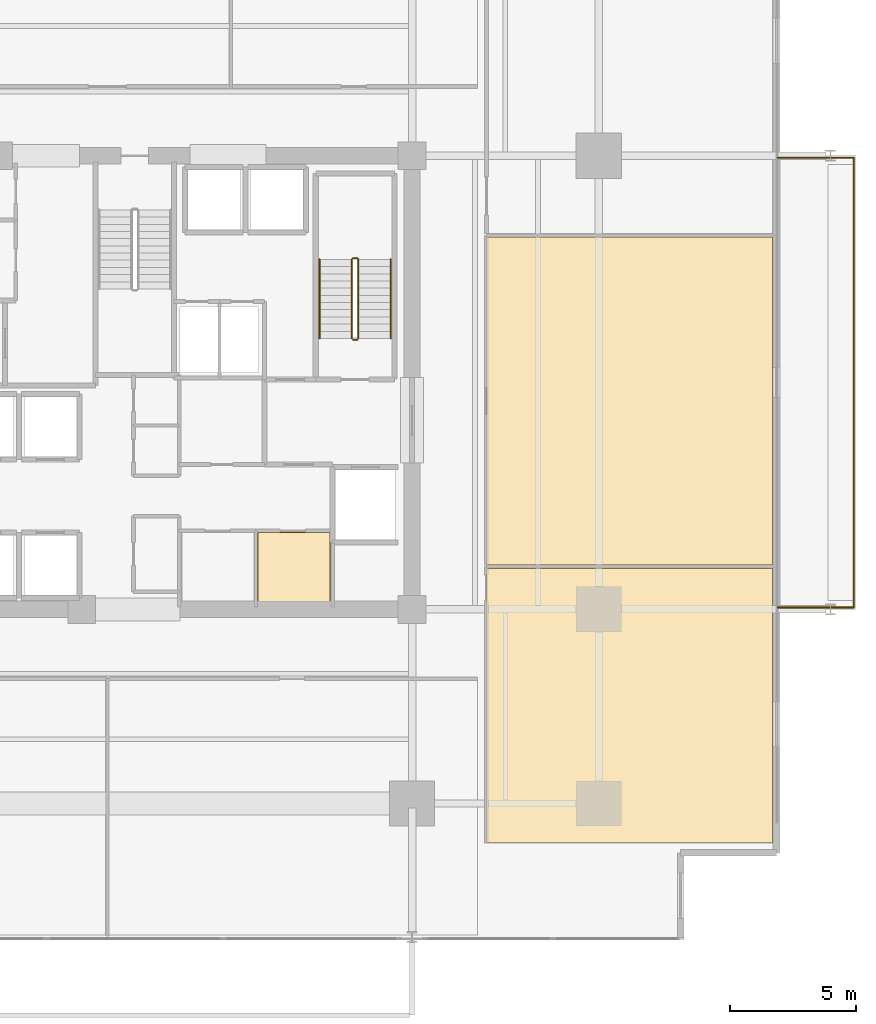
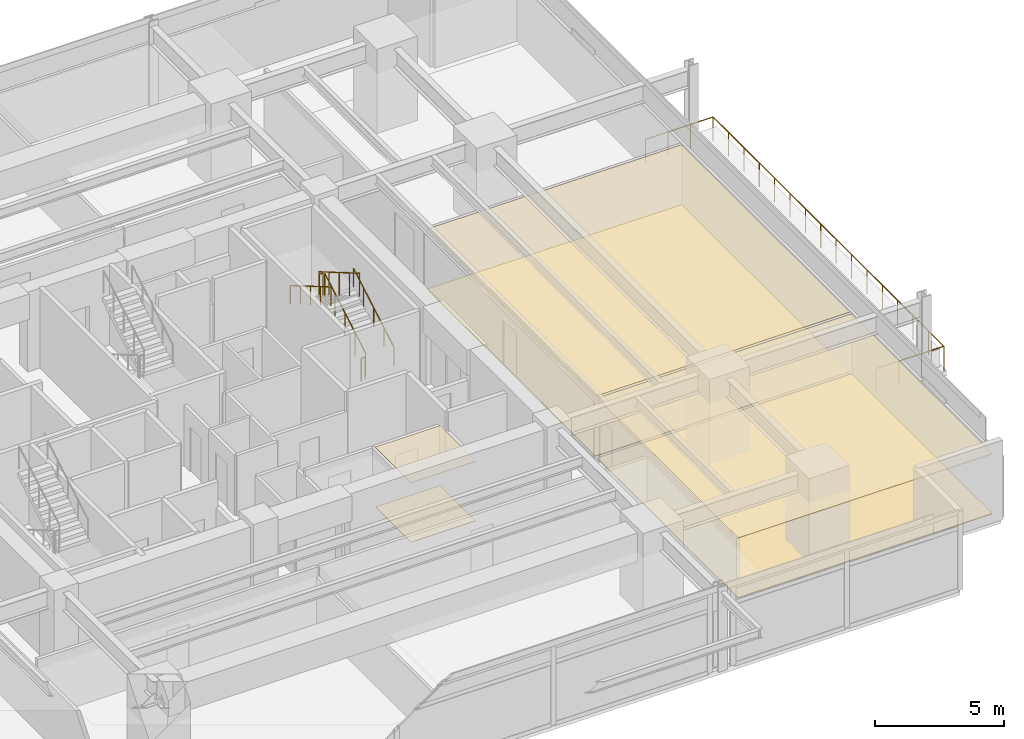
# One storey, part 20 of 21: 7 railings, 6 coverings.
"""IFC4 building model written with IfcOpenShell, lengths in metres."""

from ifc_helpers import new_model, si_unit, direction, frame, origin, origin_2d, place, context, subcontext, project, spatial, polyline, circle, outline, extrude, material, layer, layer_set, type_object, element, save


model = new_model("IFC4")

# Units and contexts
model_context = context("Model", 3, precision=1e-05, world=origin(), true_north=direction((0.0, 1.0)))
body_context = subcontext(model_context, "Body", "Model", "MODEL_VIEW")
ifc_project = project(units=[si_unit("LENGTHUNIT", "METRE"), si_unit("AREAUNIT", "SQUARE_METRE"), si_unit("VOLUMEUNIT", "CUBIC_METRE"), si_unit("PLANEANGLEUNIT", "RADIAN"), si_unit("MASSUNIT", "GRAM", prefix="KILO")], contexts=[model_context])

# Site, building, storey
site_placement = place(None, origin())
site = spatial("IfcSite", under=ifc_project, at=site_placement, CompositionType="ELEMENT")
building_placement = place(site_placement, origin())
building = spatial("IfcBuilding", under=site, at=building_placement, Name="Kovane Verandah Tower", CompositionType="ELEMENT")
storey_placement = place(building_placement, frame((0.0, 0.0, 47.60009765625)))
storey = spatial("IfcBuildingStorey", under=building, at=storey_placement, Name="L10", CompositionType="ELEMENT", Elevation=47.60009765625)

# Coverings
ifc_material_1 = material(Name="Perforated Acoustic Mineral-Fibre Ceiling Tile", Category="gypsum")
ifc_layer_1 = layer(ifc_material_1, 0.02490234375)
ifc_layer_set_1 = layer_set([ifc_layer_1], Name="Perforated Acoustic Mineral-Fibre Ceiling Tile")
covering_type_1 = type_object("IfcCoveringType", Name="CV-CEIL-25", PredefinedType="CEILING", material=ifc_layer_set_1)
covering_1_placement = place(storey_placement, frame((0.0, 0.0, 2.824951171875)))
element("IfcCovering", 1, at=covering_1_placement, inside=storey, type_object=covering_type_1, Name="L10 East IT Server Room Acoustic Ceiling", PredefinedType="CEILING", context=body_context, shape_type="SweptSolid", body=[
    extrude(outline(polyline([(44.864990234375, 18.784912109375), (47.764892578125, 18.784912109375), (47.764892578125, 21.56494140625), (44.864990234375, 21.56494140625), (44.864990234375, 18.784912109375)])), origin(), (0.0, 0.0, 1.0), 0.02490234375),
])
covering_2_placement = place(storey_placement, frame((0.0, 0.0, 2.824951171875)))
element("IfcCovering", 2, at=covering_2_placement, inside=storey, type_object=covering_type_1, Name="L10 Open Plan Office E1 Acoustic Ceiling", PredefinedType="CEILING", context=body_context, shape_type="SweptSolid", body=[
    extrude(outline(polyline([(53.949951171875, 9.23876953125), (65.30908203125, 9.23876953125), (65.30908203125, 20.12548828125), (53.949951171875, 20.12548828125), (53.949951171875, 9.23876953125)])), origin(), (0.0, 0.0, 1.0), 0.02490234375),
])
covering_3_placement = place(storey_placement, frame((0.0, 0.0, 2.824951171875)))
element("IfcCovering", 3, at=covering_3_placement, inside=storey, type_object=covering_type_1, Name="L10 Executive Office E2 Acoustic Ceiling", PredefinedType="CEILING", context=body_context, shape_type="SweptSolid", body=[
    extrude(outline(polyline([(53.949951171875, 20.265380859375), (65.30908203125, 20.265380859375), (65.30908203125, 33.273681640625), (53.949951171875, 33.273681640625), (53.949951171875, 20.265380859375)])), origin(), (0.0, 0.0, 1.0), 0.02490234375),
])
ifc_material_2 = material(Name="Polished Terrazzo and Raised-Access Carpet Tile Finish", Category="concrete")
ifc_layer_2 = layer(ifc_material_2, 0.030029296875)
ifc_layer_set_2 = layer_set([ifc_layer_2], Name="Polished Terrazzo and Raised-Access Carpet Tile Finish")
covering_type_2 = type_object("IfcCoveringType", Name="CV-FLOR-30", PredefinedType="FLOORING", material=ifc_layer_set_2)
covering_4_placement = place(storey_placement, origin())
element("IfcCovering", 4, at=covering_4_placement, inside=storey, type_object=covering_type_2, Name="L10 East IT Server Room Floor Finish", PredefinedType="FLOORING", context=body_context, shape_type="SweptSolid", body=[
    extrude(outline(polyline([(44.8798828125, 18.800048828125), (47.75, 18.800048828125), (47.75, 21.550048828125), (44.8798828125, 21.550048828125), (44.8798828125, 18.800048828125)])), origin(), (0.0, 0.0, 1.0), 0.02978515625),
])
covering_5_placement = place(storey_placement, origin())
element("IfcCovering", 5, at=covering_5_placement, inside=storey, type_object=covering_type_2, Name="L10 Open Plan Office E1 Floor Finish", PredefinedType="FLOORING", context=body_context, shape_type="SweptSolid", body=[
    extrude(outline(polyline([(53.949951171875, 9.23876953125), (65.30908203125, 9.23876953125), (65.30908203125, 20.12548828125), (53.949951171875, 20.12548828125), (53.949951171875, 9.23876953125)])), origin(), (0.0, 0.0, 1.0), 0.02978515625),
])
covering_6_placement = place(storey_placement, origin())
element("IfcCovering", 6, at=covering_6_placement, inside=storey, type_object=covering_type_2, Name="L10 Executive Office E2 Floor Finish", PredefinedType="FLOORING", context=body_context, shape_type="SweptSolid", body=[
    extrude(outline(polyline([(53.949951171875, 20.265380859375), (65.30908203125, 20.265380859375), (65.30908203125, 33.273681640625), (53.949951171875, 33.273681640625), (53.949951171875, 20.265380859375)])), origin(), (0.0, 0.0, 1.0), 0.02978515625),
])

# Railings
ifc_material_3 = material(Name="Laminated Glass and Pale-Champagne Stainless Balustrade", Category="glass")
railing_type_1 = type_object("IfcRailingType", Name="RL-BAL-1150", PredefinedType="BALUSTRADE", material=ifc_material_3)
railing_1_placement = place(storey_placement, frame((65.509033203125, 18.580078125, 0.0)))
element("IfcRailing", 7, at=railing_1_placement, inside=storey, type_object=railing_type_1, Name="L10 E Verandah Glass Balustrade", PredefinedType="BALUSTRADE", context=body_context, shape_type="SweptSolid", body=[
    extrude(circle(Radius=0.02392578125, at=origin_2d()), frame((0.0, 0.0, 1.1259765625), z_axis=(1.0, 0.0, 0.0), x_axis=(0.0, 1.0, 0.0)), (0.0, 0.0, 1.0), 3.02001953125),
    extrude(circle(Radius=0.02392578125, at=origin_2d()), frame((3.02001953125, 0.0, 1.1259765625), z_axis=(0.0, 1.0, 0.0), x_axis=(-1.0, 0.0, 0.0)), (0.0, 0.0, 1.0), 17.83984375),
    extrude(circle(Radius=0.02392578125, at=origin_2d()), frame((3.02001953125, 17.83984375, 1.1259765625), z_axis=(-1.0, 0.0, 0.0), x_axis=(0.0, -1.0, 0.0)), (0.0, 0.0, 1.0), 3.02001953125),
    extrude(circle(Radius=0.02099609375, at=origin_2d()), origin(), (0.0, 0.0, 1.0), 1.101806640625),
    extrude(circle(Radius=0.02099609375, at=origin_2d()), frame((1.006591796875, 0.0, 0.0)), (0.0, 0.0, 1.0), 1.101806640625),
    extrude(circle(Radius=0.02099609375, at=origin_2d()), frame((2.013427734375, 0.0, 0.0)), (0.0, 0.0, 1.0), 1.101806640625),
    extrude(circle(Radius=0.02099609375, at=origin_2d()), frame((3.02001953125, 0.0, 0.0)), (0.0, 0.0, 1.0), 1.101806640625),
    extrude(circle(Radius=0.02099609375, at=origin_2d()), frame((3.02001953125, 1.189208984375, 0.0)), (0.0, 0.0, 1.0), 1.101806640625),
    extrude(circle(Radius=0.02099609375, at=origin_2d()), frame((3.02001953125, 2.378662109375, 0.0)), (0.0, 0.0, 1.0), 1.101806640625),
    extrude(circle(Radius=0.02099609375, at=origin_2d()), frame((3.02001953125, 3.56787109375, 0.0)), (0.0, 0.0, 1.0), 1.101806640625),
    extrude(circle(Radius=0.02099609375, at=origin_2d()), frame((3.02001953125, 4.75732421875, 0.0)), (0.0, 0.0, 1.0), 1.101806640625),
    extrude(circle(Radius=0.02099609375, at=origin_2d()), frame((3.02001953125, 5.946533203125, 0.0)), (0.0, 0.0, 1.0), 1.101806640625),
    extrude(circle(Radius=0.02099609375, at=origin_2d()), frame((3.02001953125, 7.135986328125, 0.0)), (0.0, 0.0, 1.0), 1.101806640625),
    extrude(circle(Radius=0.02099609375, at=origin_2d()), frame((3.02001953125, 8.3251953125, 0.0)), (0.0, 0.0, 1.0), 1.101806640625),
    extrude(circle(Radius=0.02099609375, at=origin_2d()), frame((3.02001953125, 9.5146484375, 0.0)), (0.0, 0.0, 1.0), 1.101806640625),
    extrude(circle(Radius=0.02099609375, at=origin_2d()), frame((3.02001953125, 10.703857421875, 0.0)), (0.0, 0.0, 1.0), 1.101806640625),
    extrude(circle(Radius=0.02099609375, at=origin_2d()), frame((3.02001953125, 11.893310546875, 0.0)), (0.0, 0.0, 1.0), 1.101806640625),
    extrude(circle(Radius=0.02099609375, at=origin_2d()), frame((3.02001953125, 13.08251953125, 0.0)), (0.0, 0.0, 1.0), 1.101806640625),
    extrude(circle(Radius=0.02099609375, at=origin_2d()), frame((3.02001953125, 14.27197265625, 0.0)), (0.0, 0.0, 1.0), 1.101806640625),
    extrude(circle(Radius=0.02099609375, at=origin_2d()), frame((3.02001953125, 15.461181640625, 0.0)), (0.0, 0.0, 1.0), 1.101806640625),
    extrude(circle(Radius=0.02099609375, at=origin_2d()), frame((3.02001953125, 16.650634765625, 0.0)), (0.0, 0.0, 1.0), 1.101806640625),
    extrude(circle(Radius=0.02099609375, at=origin_2d()), frame((3.02001953125, 17.83984375, 0.0)), (0.0, 0.0, 1.0), 1.101806640625),
    extrude(circle(Radius=0.02099609375, at=origin_2d()), frame((2.013427734375, 17.83984375, 0.0)), (0.0, 0.0, 1.0), 1.101806640625),
    extrude(circle(Radius=0.02099609375, at=origin_2d()), frame((1.006591796875, 17.83984375, 0.0)), (0.0, 0.0, 1.0), 1.101806640625),
    extrude(circle(Radius=0.02099609375, at=origin_2d()), frame((0.0, 17.83984375, 0.0)), (0.0, 0.0, 1.0), 1.101806640625),
])
ifc_material_4 = material(Name="Brushed Stainless Steel Handrail", Category="steel")
railing_type_2 = type_object("IfcRailingType", Name="RL-HAND-920", PredefinedType="HANDRAIL", material=ifc_material_4)
railing_2_placement = place(storey_placement, frame((50.14990234375, 29.25, 0.16650390625)))
element("IfcRailing", 8, at=railing_2_placement, inside=storey, type_object=railing_type_2, Name="L10 ST-02 stair handrail 1", PredefinedType="HANDRAIL", context=body_context, shape_type="SweptSolid", body=[
    extrude(circle(Radius=0.02392578125, at=origin_2d()), frame((0.0, 0.0, 0.8759765625), z_axis=(0.0, 0.863210265497, 0.504844567704), x_axis=(-1.0, 0.0, 0.0)), (0.0, 0.0, 1.0), 3.6318359375),
    extrude(circle(Radius=0.02099609375, at=origin_2d()), origin(), (0.0, 0.0, 1.0), 0.851806640625),
    extrude(circle(Radius=0.02099609375, at=origin_2d()), frame((0.0, 0.78369140625, 0.45849609375)), (0.0, 0.0, 1.0), 0.851806640625),
    extrude(circle(Radius=0.02099609375, at=origin_2d()), frame((0.0, 1.5673828125, 0.916748046875)), (0.0, 0.0, 1.0), 0.851806640625),
    extrude(circle(Radius=0.02099609375, at=origin_2d()), frame((0.0, 2.351318359375, 1.375)), (0.0, 0.0, 1.0), 0.851806640625),
    extrude(circle(Radius=0.02099609375, at=origin_2d()), frame((0.0, 3.135009765625, 1.83349609375)), (0.0, 0.0, 1.0), 0.851806640625),
])
railing_3_placement = place(storey_placement, frame((47.330078125, 32.385009765625, 2.16650390625)))
element("IfcRailing", 9, at=railing_3_placement, inside=storey, type_object=railing_type_2, Name="L10 ST-02 stair handrail 2", PredefinedType="HANDRAIL", context=body_context, shape_type="SweptSolid", body=[
    extrude(circle(Radius=0.02392578125, at=origin_2d()), frame((0.0, 0.0, 0.8759765625), z_axis=(0.0, -0.863210265497, 0.504844567704), x_axis=(1.0, 0.0, 0.0)), (0.0, 0.0, 1.0), 3.6318359375),
    extrude(circle(Radius=0.02099609375, at=origin_2d()), origin(), (0.0, 0.0, 1.0), 0.851806640625),
    extrude(circle(Radius=0.02099609375, at=origin_2d()), frame((0.0, -0.78369140625, 0.45849609375)), (0.0, 0.0, 1.0), 0.851806640625),
    extrude(circle(Radius=0.02099609375, at=origin_2d()), frame((0.0, -1.5673828125, 0.916748046875)), (0.0, 0.0, 1.0), 0.851806640625),
    extrude(circle(Radius=0.02099609375, at=origin_2d()), frame((0.0, -2.351318359375, 1.375)), (0.0, 0.0, 1.0), 0.851806640625),
    extrude(circle(Radius=0.02099609375, at=origin_2d()), frame((0.0, -3.135009765625, 1.83349609375)), (0.0, 0.0, 1.0), 0.851806640625),
])
ifc_material_5 = material(Name="Painted Steel Stairwell Guardrail", Category="steel")
railing_type_3 = type_object("IfcRailingType", Name="RL-STGUARD-1120", PredefinedType="GUARDRAIL", material=ifc_material_5)
railing_4_placement = place(storey_placement, frame((48.8701171875, 29.25, 0.16650390625)))
element("IfcRailing", 10, at=railing_4_placement, inside=storey, type_object=railing_type_3, Name="L10 ST-02 stair guard 1", PredefinedType="GUARDRAIL", context=body_context, shape_type="SweptSolid", body=[
    extrude(circle(Radius=0.02392578125, at=origin_2d()), frame((0.0, 0.0, 1.076171875), z_axis=(0.0, 0.863210265497, 0.504844567704), x_axis=(-1.0, 0.0, 0.0)), (0.0, 0.0, 1.0), 3.6318359375),
    extrude(circle(Radius=0.02099609375, at=origin_2d()), origin(), (0.0, 0.0, 1.0), 1.052001953125),
    extrude(circle(Radius=0.02099609375, at=origin_2d()), frame((0.0, 0.78369140625, 0.45849609375)), (0.0, 0.0, 1.0), 1.052001953125),
    extrude(circle(Radius=0.02099609375, at=origin_2d()), frame((0.0, 1.5673828125, 0.916748046875)), (0.0, 0.0, 1.0), 1.052001953125),
    extrude(circle(Radius=0.02099609375, at=origin_2d()), frame((0.0, 2.351318359375, 1.375)), (0.0, 0.0, 1.0), 1.052001953125),
    extrude(circle(Radius=0.02099609375, at=origin_2d()), frame((0.0, 3.135009765625, 1.83349609375)), (0.0, 0.0, 1.0), 1.052001953125),
])
railing_5_placement = place(storey_placement, frame((48.820068359375, 32.43505859375, 2.0)))
element("IfcRailing", 11, at=railing_5_placement, inside=storey, type_object=railing_type_3, Name="L10 ST-02 stair guard 2", PredefinedType="GUARDRAIL", context=body_context, shape_type="SweptSolid", body=[
    extrude(circle(Radius=0.02392578125, at=origin_2d()), frame((0.0, 0.0, 1.076171875), z_axis=(-1.0, 0.0, 0.0), x_axis=(0.0, -1.0, 0.0)), (0.0, 0.0, 1.0), 0.16015625),
    extrude(circle(Radius=0.02099609375, at=origin_2d()), origin(), (0.0, 0.0, 1.0), 1.052001953125),
    extrude(circle(Radius=0.02099609375, at=origin_2d()), frame((-0.16015625, 0.0, 0.0)), (0.0, 0.0, 1.0), 1.052001953125),
])
railing_6_placement = place(storey_placement, frame((48.610107421875, 32.385009765625, 2.16650390625)))
element("IfcRailing", 12, at=railing_6_placement, inside=storey, type_object=railing_type_3, Name="L10 ST-02 stair guard 3", PredefinedType="GUARDRAIL", context=body_context, shape_type="SweptSolid", body=[
    extrude(circle(Radius=0.02392578125, at=origin_2d()), frame((0.0, 0.0, 1.076171875), z_axis=(0.0, -0.863210265497, 0.504844567704), x_axis=(1.0, 0.0, 0.0)), (0.0, 0.0, 1.0), 3.6318359375),
    extrude(circle(Radius=0.02099609375, at=origin_2d()), origin(), (0.0, 0.0, 1.0), 1.052001953125),
    extrude(circle(Radius=0.02099609375, at=origin_2d()), frame((0.0, -0.78369140625, 0.45849609375)), (0.0, 0.0, 1.0), 1.052001953125),
    extrude(circle(Radius=0.02099609375, at=origin_2d()), frame((0.0, -1.5673828125, 0.916748046875)), (0.0, 0.0, 1.0), 1.052001953125),
    extrude(circle(Radius=0.02099609375, at=origin_2d()), frame((0.0, -2.351318359375, 1.375)), (0.0, 0.0, 1.0), 1.052001953125),
    extrude(circle(Radius=0.02099609375, at=origin_2d()), frame((0.0, -3.135009765625, 1.83349609375)), (0.0, 0.0, 1.0), 1.052001953125),
])
railing_7_placement = place(storey_placement, frame((48.820068359375, 29.199951171875, 0.0)))
element("IfcRailing", 13, at=railing_7_placement, inside=storey, type_object=railing_type_3, Name="L10 ST-02 stair guard 4", PredefinedType="GUARDRAIL", context=body_context, shape_type="SweptSolid", body=[
    extrude(circle(Radius=0.02392578125, at=origin_2d()), frame((0.0, 0.0, 1.076171875), z_axis=(-1.0, 0.0, 0.0), x_axis=(0.0, -1.0, 0.0)), (0.0, 0.0, 1.0), 0.16015625),
    extrude(circle(Radius=0.02099609375, at=origin_2d()), origin(), (0.0, 0.0, 1.0), 1.052001953125),
    extrude(circle(Radius=0.02099609375, at=origin_2d()), frame((-0.16015625, 0.0, 0.0)), (0.0, 0.0, 1.0), 1.052001953125),
])

save(model, "model.ifc")
